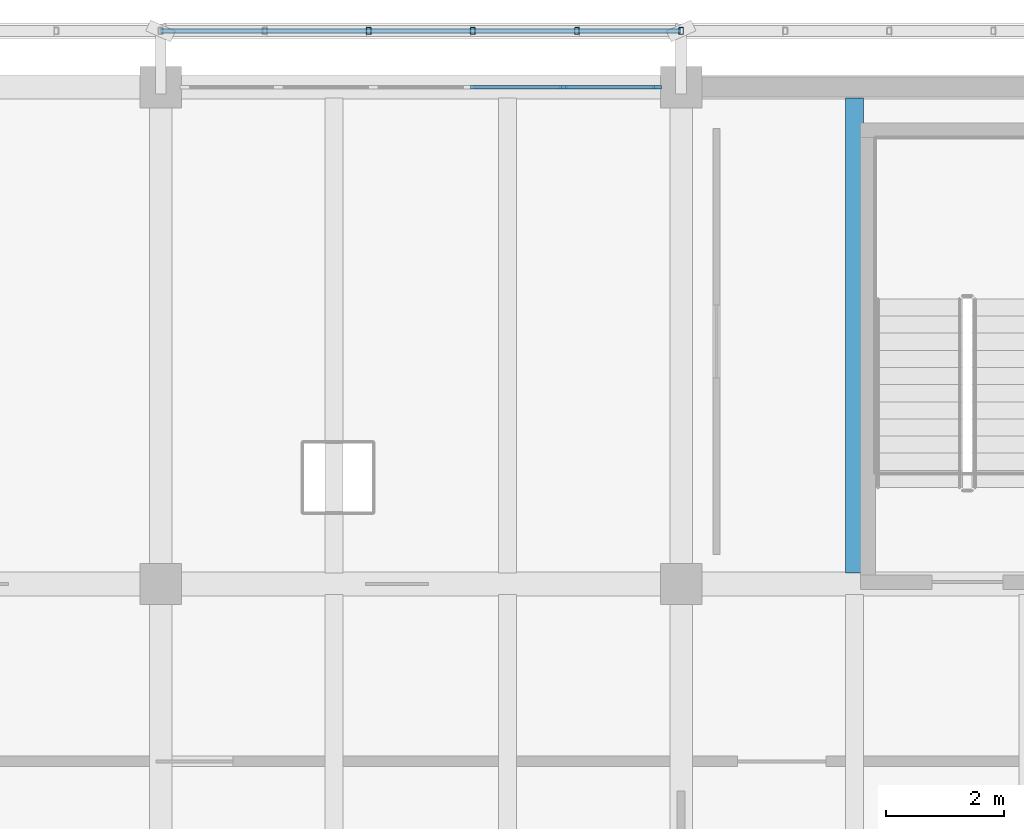
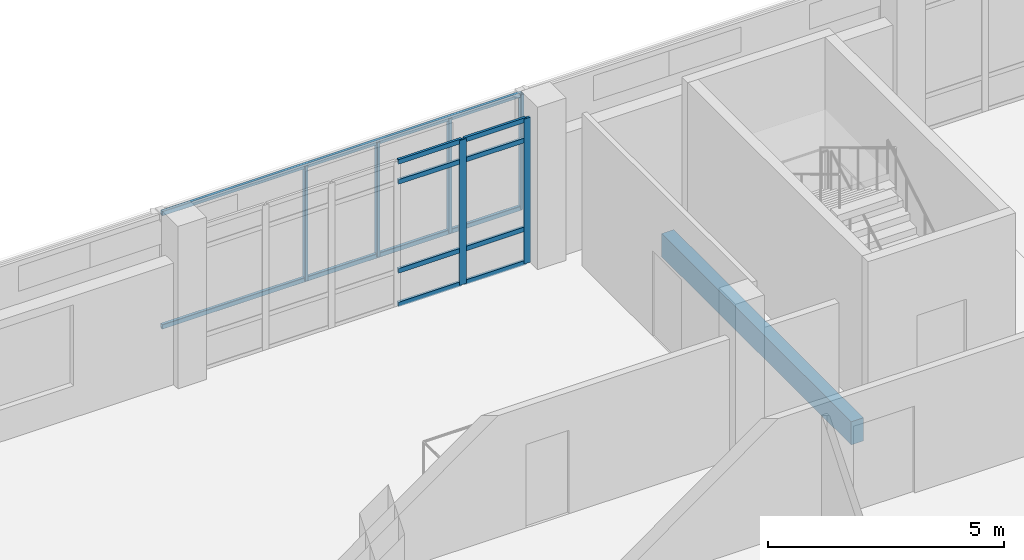
# One storey, part 73 of 137: 16 members, 1 beam, 1 element without a shape of its own.
"""IFC4 building model written with IfcOpenShell, lengths in metres."""

from ifc_helpers import new_model, si_unit, direction, frame, origin, origin_2d, place, context, subcontext, project, spatial, rectangle, hollow_rectangle, extrude, material, material_profile, profile_set, type_object, element, aggregate, save


model = new_model("IFC4")

# Units and contexts
model_context = context("Model", 3, precision=1e-05, world=origin(), true_north=direction((0.0, 1.0)))
body_context = subcontext(model_context, "Body", "Model", "MODEL_VIEW")
ifc_project = project(units=[si_unit("LENGTHUNIT", "METRE"), si_unit("AREAUNIT", "SQUARE_METRE"), si_unit("VOLUMEUNIT", "CUBIC_METRE"), si_unit("PLANEANGLEUNIT", "RADIAN"), si_unit("MASSUNIT", "GRAM", prefix="KILO")], contexts=[model_context])

# Site, building, storey
site_placement = place(None, origin())
site = spatial("IfcSite", under=ifc_project, at=site_placement, CompositionType="ELEMENT")
building_placement = place(site_placement, origin())
building = spatial("IfcBuilding", under=site, at=building_placement, Name="Cinderway Yard Community Centre", CompositionType="ELEMENT")
storey_placement = place(building_placement, frame((0.0, 0.0, 4.800048828125)))
storey = spatial("IfcBuildingStorey", under=building, at=storey_placement, Name="L01", CompositionType="ELEMENT", Elevation=4.800048828125)

# Curtain wall, members
ifc_material_1 = material(Name="Aluminium 6063-T6", Category="aluminium")
curtain_wall_type = type_object("IfcCurtainWallType", Name="ENV-CW-TYPE-27", PredefinedType="USERDEFINED", material=ifc_material_1)
curtain_wall_placement = place(storey_placement, origin())
curtain_wall = element("IfcCurtainWall", 1, at=curtain_wall_placement, inside=storey, type_object=curtain_wall_type, Name="V4 Street Curtain Wall ENV-CW-L01-ST-0132", ObjectType="GLAZED CURTAIN WALL", PredefinedType="USERDEFINED")
ifc_material_profile_1 = material_profile(ifc_material_1, rectangle(XDim=0.06005859375, YDim=0.159912109375, at=origin_2d()), Name="Aluminium 6063-T6")
ifc_profile_set_1 = profile_set([ifc_material_profile_1], Name="Aluminium 6063-T6")
member_type_1 = type_object("IfcMemberType", Name="ENV-CW-MULL-150", PredefinedType="MULLION", material=ifc_profile_set_1)
member_1_placement = place(storey_placement, frame((108.412109375, 115.199951171875, 0.0), z_axis=(0.0, 0.0, 1.0), x_axis=(0.0, 1.0, 0.0)))
member_1 = element("IfcMember", 2, at=member_1_placement, type_object=member_type_1, Name="CW-27 mullion 5", PredefinedType="MULLION", context=body_context, shape_type="SweptSolid", body=[
    extrude(rectangle(XDim=0.06005859375, YDim=0.159912109375, at=origin_2d()), origin(), (0.0, 0.0, 1.0), 3.75),
])
member_2_placement = place(storey_placement, frame((109.989990234375, 115.199951171875, 0.0), z_axis=(0.0, 0.0, 1.0), x_axis=(0.0, 1.0, 0.0)))
member_2 = element("IfcMember", 3, at=member_2_placement, type_object=member_type_1, Name="CW-27 mullion 6", PredefinedType="MULLION", context=body_context, shape_type="SweptSolid", body=[
    extrude(rectangle(XDim=0.06005859375, YDim=0.159912109375, at=origin_2d()), origin(), (0.0, 0.0, 1.0), 3.75),
])
ifc_material_profile_2 = material_profile(ifc_material_1, rectangle(XDim=0.06005859375, YDim=0.1201171875, at=origin_2d()), Name="Aluminium 6063-T6")
ifc_profile_set_2 = profile_set([ifc_material_profile_2], Name="Aluminium 6063-T6")
member_type_2 = type_object("IfcMemberType", Name="ENV-CW-TRAN-110", PredefinedType="USERDEFINED", material=ifc_profile_set_2)
member_3_placement = place(storey_placement, frame((106.833984375, 115.199951171875, 0.030029296875), z_axis=(1.0, 0.0, 0.0), x_axis=(0.0, 1.0, 0.0)))
member_3 = element("IfcMember", 4, at=member_3_placement, type_object=member_type_2, Name="CW-27 transom 4.1", ObjectType="TRANSOM", PredefinedType="USERDEFINED", context=body_context, shape_type="SweptSolid", body=[
    extrude(rectangle(XDim=0.06005859375, YDim=0.1201171875, at=origin_2d()), origin(), (0.0, 0.0, 1.0), 1.548095703125),
])
member_4_placement = place(storey_placement, frame((106.833984375, 115.199951171875, 0.89990234375), z_axis=(1.0, 0.0, 0.0), x_axis=(0.0, 1.0, 0.0)))
member_4 = element("IfcMember", 5, at=member_4_placement, type_object=member_type_2, Name="CW-27 transom 4.2", ObjectType="TRANSOM", PredefinedType="USERDEFINED", context=body_context, shape_type="SweptSolid", body=[
    extrude(rectangle(XDim=0.06005859375, YDim=0.1201171875, at=origin_2d()), origin(), (0.0, 0.0, 1.0), 1.548095703125),
])
member_5_placement = place(storey_placement, frame((106.833984375, 115.199951171875, 3.199951171875), z_axis=(1.0, 0.0, 0.0), x_axis=(0.0, 1.0, 0.0)))
member_5 = element("IfcMember", 6, at=member_5_placement, type_object=member_type_2, Name="CW-27 transom 4.3", ObjectType="TRANSOM", PredefinedType="USERDEFINED", context=body_context, shape_type="SweptSolid", body=[
    extrude(rectangle(XDim=0.06005859375, YDim=0.1201171875, at=origin_2d()), origin(), (0.0, 0.0, 1.0), 1.548095703125),
])
member_6_placement = place(storey_placement, frame((106.833984375, 115.199951171875, 3.719970703125), z_axis=(1.0, 0.0, 0.0), x_axis=(0.0, 1.0, 0.0)))
member_6 = element("IfcMember", 7, at=member_6_placement, type_object=member_type_2, Name="CW-27 transom 4.4", ObjectType="TRANSOM", PredefinedType="USERDEFINED", context=body_context, shape_type="SweptSolid", body=[
    extrude(rectangle(XDim=0.06005859375, YDim=0.1201171875, at=origin_2d()), origin(), (0.0, 0.0, 1.0), 1.548095703125),
])
member_7_placement = place(storey_placement, frame((108.44189453125, 115.199951171875, 0.030029296875), z_axis=(1.0, 0.0, 0.0), x_axis=(0.0, 1.0, 0.0)))
member_7 = element("IfcMember", 8, at=member_7_placement, type_object=member_type_2, Name="CW-27 transom 5.1", ObjectType="TRANSOM", PredefinedType="USERDEFINED", context=body_context, shape_type="SweptSolid", body=[
    extrude(rectangle(XDim=0.06005859375, YDim=0.1201171875, at=origin_2d()), origin(), (0.0, 0.0, 1.0), 1.51806640625),
])
member_8_placement = place(storey_placement, frame((108.44189453125, 115.199951171875, 0.89990234375), z_axis=(1.0, 0.0, 0.0), x_axis=(0.0, 1.0, 0.0)))
member_8 = element("IfcMember", 9, at=member_8_placement, type_object=member_type_2, Name="CW-27 transom 5.2", ObjectType="TRANSOM", PredefinedType="USERDEFINED", context=body_context, shape_type="SweptSolid", body=[
    extrude(rectangle(XDim=0.06005859375, YDim=0.1201171875, at=origin_2d()), origin(), (0.0, 0.0, 1.0), 1.51806640625),
])
member_9_placement = place(storey_placement, frame((108.44189453125, 115.199951171875, 3.199951171875), z_axis=(1.0, 0.0, 0.0), x_axis=(0.0, 1.0, 0.0)))
member_9 = element("IfcMember", 10, at=member_9_placement, type_object=member_type_2, Name="CW-27 transom 5.3", ObjectType="TRANSOM", PredefinedType="USERDEFINED", context=body_context, shape_type="SweptSolid", body=[
    extrude(rectangle(XDim=0.06005859375, YDim=0.1201171875, at=origin_2d()), origin(), (0.0, 0.0, 1.0), 1.51806640625),
])
member_10_placement = place(storey_placement, frame((108.44189453125, 115.199951171875, 3.719970703125), z_axis=(1.0, 0.0, 0.0), x_axis=(0.0, 1.0, 0.0)))
member_10 = element("IfcMember", 11, at=member_10_placement, type_object=member_type_2, Name="CW-27 transom 5.4", ObjectType="TRANSOM", PredefinedType="USERDEFINED", context=body_context, shape_type="SweptSolid", body=[
    extrude(rectangle(XDim=0.06005859375, YDim=0.1201171875, at=origin_2d()), origin(), (0.0, 0.0, 1.0), 1.51806640625),
])
aggregate(curtain_wall, [member_1, member_2, member_3, member_4, member_5, member_6, member_7, member_8, member_9, member_10])

# Members
ifc_material_2 = material(Name="Steel S355", Category="steel")
ifc_material_profile_3 = material_profile(ifc_material_2, hollow_rectangle(XDim=0.080078125, YDim=0.1201171875, WallThickness=0.00634765625, InnerFilletRadius=0.00634765625, OuterFilletRadius=0.0126953125, at=origin_2d()), Name="Steel S355")
ifc_profile_set_3 = profile_set([ifc_material_profile_3], Name="Steel S355")
member_type_3 = type_object("IfcMemberType", Name="ENV-MEM-SCREEN-RAIL-120", PredefinedType="STRINGER", material=ifc_profile_set_3)
for number, where, z_axis, x_axis, name in (
    (12, (101.60009765625, 116.14990234375, 0.7099609375), (1.0, 0.0, 0.0), (0.0, 1.0, 0.0), "Screen support rail 0058-BOT"),
    (13, (101.60009765625, 116.14990234375, 3.639892578125), (1.0, 0.0, 0.0), (0.0, 1.0, 0.0), "Screen support rail 0059-TOP"),
):
    element("IfcMember", number, at=place(storey_placement, frame(where, z_axis=z_axis, x_axis=x_axis)), inside=storey, type_object=member_type_3, Name=name, PredefinedType="STRINGER", context=body_context, shape_type="SweptSolid", body=[
        extrude(hollow_rectangle(XDim=0.080078125, YDim=0.1201171875, WallThickness=0.00634765625, InnerFilletRadius=0.00634765625, OuterFilletRadius=0.0126953125, at=origin_2d()), origin(), (0.0, 0.0, 1.0), 8.7998046875),
    ])
for number, where, z_axis, x_axis, name in (
    (14, (105.1201171875, 116.14990234375, 0.68994140625), (0.0, 0.0, 1.0), (1.0, 0.0, 0.0), "Screen vertical mullion 0061"),
    (15, (106.8798828125, 116.14990234375, 0.68994140625), (0.0, 0.0, 1.0), (1.0, 0.0, 0.0), "Screen vertical mullion 0062"),
    (16, (108.639892578125, 116.14990234375, 0.68994140625), (0.0, 0.0, 1.0), (1.0, 0.0, 0.0), "Screen vertical mullion 0063"),
    (17, (110.39990234375, 116.14990234375, 0.68994140625), (0.0, 0.0, 1.0), (1.0, 0.0, 0.0), "Screen vertical mullion 0064"),
):
    element("IfcMember", number, at=place(storey_placement, frame(where, z_axis=z_axis, x_axis=x_axis)), inside=storey, type_object=member_type_3, Name=name, PredefinedType="STRINGER", context=body_context, shape_type="SweptSolid", body=[
        extrude(hollow_rectangle(XDim=0.080078125, YDim=0.1201171875, WallThickness=0.00634765625, InnerFilletRadius=0.00634765625, OuterFilletRadius=0.0126953125, at=origin_2d()), origin(), (0.0, 0.0, 1.0), 2.969970703125),
    ])

# Beam
ifc_material_3 = material(Name="Concrete C35/45", Category="concrete")
ifc_material_profile_4 = material_profile(ifc_material_3, rectangle(XDim=0.300048828125, YDim=0.60009765625, at=origin_2d()), Name="Concrete C35/45")
ifc_profile_set_4 = profile_set([ifc_material_profile_4], Name="Concrete C35/45")
beam_type = type_object("IfcBeamType", Name="STR-BM-RC300X600", PredefinedType="JOIST", material=ifc_profile_set_4)
beam_placement = place(storey_placement, frame((113.3330078125, 106.98193359375, -0.56005859375), z_axis=(0.0, 1.0, 0.0), x_axis=(-1.0, 0.0, 0.0)))
element("IfcBeam", 18, at=beam_placement, inside=storey, type_object=beam_type, Name="Secondary joist STR-BM-L01-BJ02-0307", PredefinedType="JOIST", context=body_context, shape_type="SweptSolid", body=[
    extrude(rectangle(XDim=0.300048828125, YDim=0.60009765625, at=origin_2d()), origin(), (0.0, 0.0, 1.0), 8.0361328125),
])

save(model, "model.ifc")
